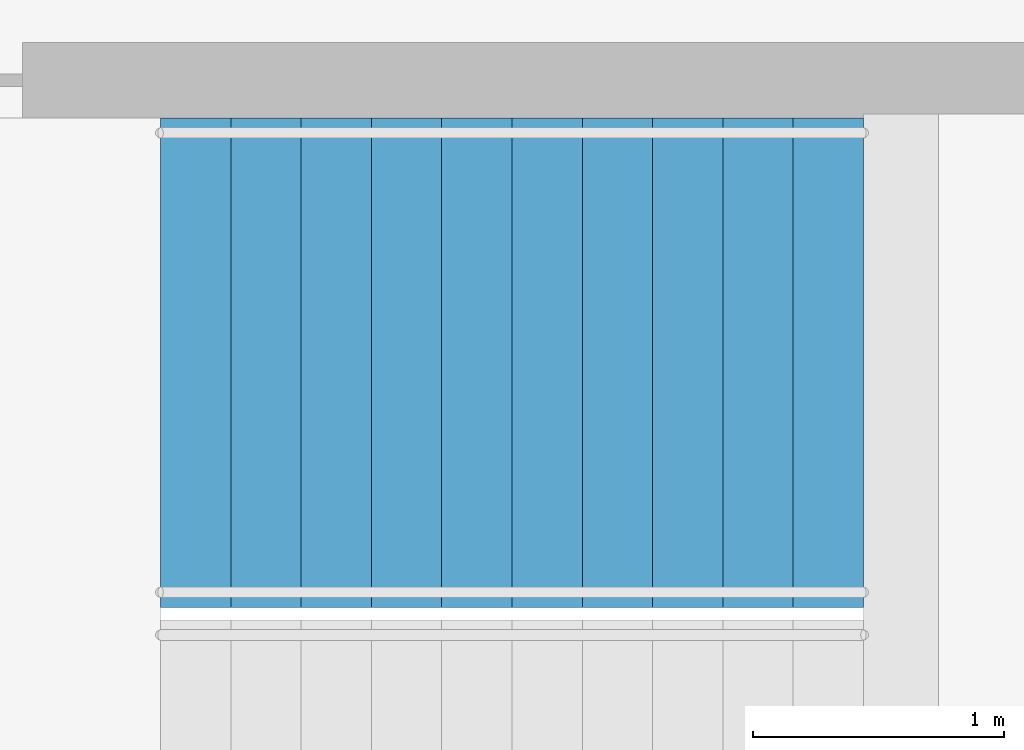
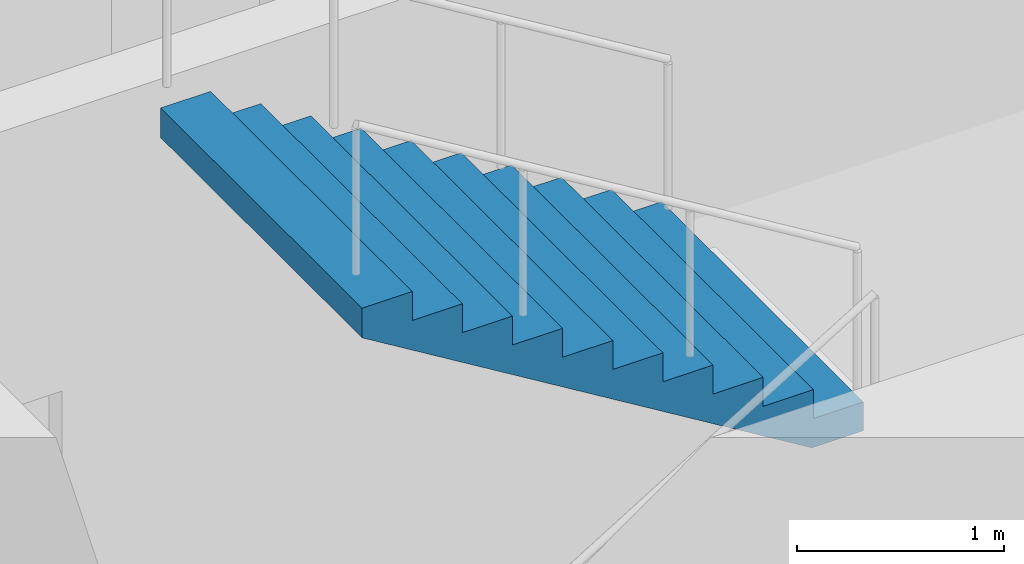
# One storey, part 20 of 23: 1 stair flight, 1 element without a shape of its own.
"""IFC4 building model written with IfcOpenShell, lengths in metres."""

from ifc_helpers import new_model, si_unit, direction, frame, origin, place, context, subcontext, project, spatial, triangles, material, type_object, element, aggregate, save


model = new_model("IFC4")

# Units and contexts
model_context = context("Model", 3, precision=1e-05, world=origin(), true_north=direction((0.0, 1.0)))
body_context = subcontext(model_context, "Body", "Model", "MODEL_VIEW")
ifc_project = project(units=[si_unit("LENGTHUNIT", "METRE"), si_unit("AREAUNIT", "SQUARE_METRE"), si_unit("VOLUMEUNIT", "CUBIC_METRE"), si_unit("PLANEANGLEUNIT", "RADIAN"), si_unit("MASSUNIT", "GRAM", prefix="KILO")], contexts=[model_context])

# Site, building, storey
site_placement = place(None, origin())
site = spatial("IfcSite", under=ifc_project, at=site_placement, CompositionType="ELEMENT")
building_placement = place(site_placement, origin())
building = spatial("IfcBuilding", under=site, at=building_placement, Name="Orbita Commons", CompositionType="ELEMENT")
storey_placement = place(building_placement, frame((0.0, 0.0, 61.449951171875)))
storey = spatial("IfcBuildingStorey", under=building, at=storey_placement, Name="L15", CompositionType="ELEMENT", Elevation=61.449951171875)

# Stair, stair flight
ifc_material_1 = material(Name="Precast concrete C40/50", Category="concrete")
stair_type = type_object("IfcStairType", Name="Exit stair S1 2 flights 11 risers 170", PredefinedType="HALF_TURN_STAIR", material=ifc_material_1)
stair_placement = place(storey_placement, origin())
stair = element("IfcStair", 1, at=stair_placement, inside=storey, type_object=stair_type, Name="Exit stair S1 L15", PredefinedType="HALF_TURN_STAIR")
ifc_material_2 = material(Name="Precast concrete C40/50", Category="concrete")
stair_flight_type = type_object("IfcStairFlightType", Name="Stair flight 11 risers 170 x 280", PredefinedType="STRAIGHT", material=ifc_material_2)
stair_flight_placement = place(storey_placement, frame((23.25, 29.27490234375, 1.875), z_axis=(0.0, 0.0, 1.0), x_axis=(-1.0, 0.0, 0.0)))
stair_flight = element("IfcStairFlight", 2, at=stair_flight_placement, type_object=stair_flight_type, Name="S1 flight 2", NumberOfRisers=11, NumberOfTreads=10, PredefinedType="STRAIGHT", RiserHeight=0.170454545, TreadLength=0.28, context=body_context, shape_type="Tessellation", body=[
    triangles([(0.0, 0.974976, 0.0), (0.0, 0.974976, 0.021307), (0.0, 0.81248, 0.021307), (0.0, 0.81248, 0.0), (0.0, 0.649984, 0.021307), (0.0, 0.649984, 0.0), (0.0, 0.487488, 0.021307), (0.0, 0.487488, 0.0), (0.0, 0.324992, 0.021307), (0.0, 0.324992, 0.0), (0.0, 0.162496, 0.021307), (0.0, 0.162496, 0.0), (0.0, 0.0, 0.021307), (0.0, 0.0, 0.0), (0.0, -0.162496, 0.021307), (0.0, -0.162496, 0.0), (0.0, -0.324992, 0.021307), (0.0, -0.324992, 0.0), (0.0, -0.487488, 0.021307), (0.0, -0.487488, 0.0), (0.0, -0.649984, 0.021307), (0.0, -0.649984, 0.0), (0.0, -0.81248, 0.021307), (0.0, -0.81248, 0.0), (0.0, -0.974976, 0.021307), (0.0, -0.974976, 0.0), (0.0, 0.974976, 0.042614), (0.0, 0.81248, 0.042614), (0.0, 0.649984, 0.042614), (0.0, 0.487488, 0.042614), (0.0, 0.324992, 0.042614), (0.0, 0.162496, 0.042614), (0.0, 0.0, 0.042614), (0.0, -0.162496, 0.042614), (0.0, -0.324992, 0.042614), (0.0, -0.487488, 0.042614), (0.0, -0.649984, 0.042614), (0.0, -0.81248, 0.042614), (0.0, -0.974976, 0.042614), (0.0, 0.974976, 0.06392), (0.0, 0.81248, 0.06392), (0.0, 0.649984, 0.06392), (0.0, 0.487488, 0.06392), (0.0, 0.324992, 0.06392), (0.0, 0.162496, 0.06392), (0.0, 0.0, 0.06392), (0.0, -0.162496, 0.06392), (0.0, -0.324992, 0.06392), (0.0, -0.487488, 0.06392), (0.0, -0.649984, 0.06392), (0.0, -0.81248, 0.06392), (0.0, -0.974976, 0.06392), (0.0, 0.974976, 0.085227), (0.0, 0.81248, 0.085227), (0.0, 0.649984, 0.085227), (0.0, 0.487488, 0.085227), (0.0, 0.324992, 0.085227), (0.0, 0.162496, 0.085227), (0.0, 0.0, 0.085227), (0.0, -0.162496, 0.085227), (0.0, -0.324992, 0.085227), (0.0, -0.487488, 0.085227), (0.0, -0.649984, 0.085227), (0.0, -0.81248, 0.085227), (0.0, -0.974976, 0.085227), (0.0, 0.974976, 0.106534), (0.0, 0.81248, 0.106534), (0.0, 0.649984, 0.106534), (0.0, 0.487488, 0.106534), (0.0, 0.324992, 0.106534), (0.0, 0.162496, 0.106534), (0.0, 0.0, 0.106534), (0.0, -0.162496, 0.106534), (0.0, -0.324992, 0.106534), (0.0, -0.487488, 0.106534), (0.0, -0.649984, 0.106534), (0.0, -0.81248, 0.106534), (0.0, -0.974976, 0.106534), (0.0, 0.974976, 0.127841), (0.0, 0.81248, 0.127841), (0.0, 0.649984, 0.127841), (0.0, 0.487488, 0.127841), (0.0, 0.324992, 0.127841), (0.0, 0.162496, 0.127841), (0.0, 0.0, 0.127841), (0.0, -0.162496, 0.127841), (0.0, -0.324992, 0.127841), (0.0, -0.487488, 0.127841), (0.0, -0.649984, 0.127841), (0.0, -0.81248, 0.127841), (0.0, -0.974976, 0.127841), (0.0, 0.974976, 0.149148), (0.0, 0.81248, 0.149148), (0.0, 0.649984, 0.149148), (0.0, 0.487488, 0.149148), (0.0, 0.324992, 0.149148), (0.0, 0.162496, 0.149148), (0.0, 0.0, 0.149148), (0.0, -0.162496, 0.149148), (0.0, -0.324992, 0.149148), (0.0, -0.487488, 0.149148), (0.0, -0.649984, 0.149148), (0.0, -0.81248, 0.149148), (0.0, -0.974976, 0.149148), (0.0, 0.974976, 0.170455), (0.0, 0.81248, 0.170455), (0.0, 0.649984, 0.170455), (0.0, 0.487488, 0.170455), (0.0, 0.324992, 0.170455), (0.0, 0.162496, 0.170455), (0.0, 0.0, 0.170455), (0.0, -0.162496, 0.170455), (0.0, -0.324992, 0.170455), (0.0, -0.487488, 0.170455), (0.0, -0.649984, 0.170455), (0.0, -0.81248, 0.170455), (0.0, -0.974976, 0.170455), (0.28, 0.974976, 0.170455), (0.28, 0.81248, 0.170455), (0.28, 0.649984, 0.170455), (0.28, 0.487488, 0.170455), (0.28, 0.324992, 0.170455), (0.28, 0.162496, 0.170455), (0.28, 0.0, 0.170455), (0.28, -0.162496, 0.170455), (0.28, -0.324992, 0.170455), (0.28, -0.487488, 0.170455), (0.28, -0.649984, 0.170455), (0.28, -0.81248, 0.170455), (0.28, -0.974976, 0.170455), (0.28, 0.974976, 0.340909), (0.28, 0.81248, 0.340909), (0.28, 0.649984, 0.340909), (0.28, 0.487488, 0.340909), (0.28, 0.324992, 0.340909), (0.28, 0.162496, 0.340909), (0.28, 0.0, 0.340909), (0.28, -0.162496, 0.340909), (0.28, -0.324992, 0.340909), (0.28, -0.487488, 0.340909), (0.28, -0.649984, 0.340909), (0.28, -0.81248, 0.340909), (0.28, -0.974976, 0.340909), (0.56, 0.974976, 0.340909), (0.56, 0.81248, 0.340909), (0.56, 0.649984, 0.340909), (0.56, 0.487488, 0.340909), (0.56, 0.324992, 0.340909), (0.56, 0.162496, 0.340909), (0.56, 0.0, 0.340909), (0.56, -0.162496, 0.340909), (0.56, -0.324992, 0.340909), (0.56, -0.487488, 0.340909), (0.56, -0.649984, 0.340909), (0.56, -0.81248, 0.340909), (0.56, -0.974976, 0.340909), (0.56, 0.974976, 0.511364), (0.56, 0.81248, 0.511364), (0.56, 0.649984, 0.511364), (0.56, 0.487488, 0.511364), (0.56, 0.324992, 0.511364), (0.56, 0.162496, 0.511364), (0.56, 0.0, 0.511364), (0.56, -0.162496, 0.511364), (0.56, -0.324992, 0.511364), (0.56, -0.487488, 0.511364), (0.56, -0.649984, 0.511364), (0.56, -0.81248, 0.511364), (0.56, -0.974976, 0.511364), (0.84, 0.974976, 0.511364), (0.84, 0.81248, 0.511364), (0.84, 0.649984, 0.511364), (0.84, 0.487488, 0.511364), (0.84, 0.324992, 0.511364), (0.84, 0.162496, 0.511364), (0.84, 0.0, 0.511364), (0.84, -0.162496, 0.511364), (0.84, -0.324992, 0.511364), (0.84, -0.487488, 0.511364), (0.84, -0.649984, 0.511364), (0.84, -0.81248, 0.511364), (0.84, -0.974976, 0.511364), (0.84, 0.974976, 0.681818), (0.84, 0.81248, 0.681818), (0.84, 0.649984, 0.681818), (0.84, 0.487488, 0.681818), (0.84, 0.324992, 0.681818), (0.84, 0.162496, 0.681818), (0.84, 0.0, 0.681818), (0.84, -0.162496, 0.681818), (0.84, -0.324992, 0.681818), (0.84, -0.487488, 0.681818), (0.84, -0.649984, 0.681818), (0.84, -0.81248, 0.681818), (0.84, -0.974976, 0.681818), (1.12, 0.974976, 0.681818), (1.12, 0.81248, 0.681818), (1.12, 0.649984, 0.681818), (1.12, 0.487488, 0.681818), (1.12, 0.324992, 0.681818), (1.12, 0.162496, 0.681818), (1.12, 0.0, 0.681818), (1.12, -0.162496, 0.681818), (1.12, -0.324992, 0.681818), (1.12, -0.487488, 0.681818), (1.12, -0.649984, 0.681818), (1.12, -0.81248, 0.681818), (1.12, -0.974976, 0.681818), (1.12, 0.974976, 0.852273), (1.12, 0.81248, 0.852273), (1.12, 0.649984, 0.852273), (1.12, 0.487488, 0.852273), (1.12, 0.324992, 0.852273), (1.12, 0.162496, 0.852273), (1.12, 0.0, 0.852273), (1.12, -0.162496, 0.852273), (1.12, -0.324992, 0.852273), (1.12, -0.487488, 0.852273), (1.12, -0.649984, 0.852273), (1.12, -0.81248, 0.852273), (1.12, -0.974976, 0.852273), (1.4, 0.974976, 0.852273), (1.4, 0.81248, 0.852273), (1.4, 0.649984, 0.852273), (1.4, 0.487488, 0.852273), (1.4, 0.324992, 0.852273), (1.4, 0.162496, 0.852273), (1.4, 0.0, 0.852273), (1.4, -0.162496, 0.852273), (1.4, -0.324992, 0.852273), (1.4, -0.487488, 0.852273), (1.4, -0.649984, 0.852273), (1.4, -0.81248, 0.852273), (1.4, -0.974976, 0.852273), (1.4, 0.974976, 1.022727), (1.4, 0.81248, 1.022727), (1.4, 0.649984, 1.022727), (1.4, 0.487488, 1.022727), (1.4, 0.324992, 1.022727), (1.4, 0.162496, 1.022727), (1.4, 0.0, 1.022727), (1.4, -0.162496, 1.022727), (1.4, -0.324992, 1.022727), (1.4, -0.487488, 1.022727), (1.4, -0.649984, 1.022727), (1.4, -0.81248, 1.022727), (1.4, -0.974976, 1.022727), (1.68, 0.974976, 1.022727), (1.68, 0.81248, 1.022727), (1.68, 0.649984, 1.022727), (1.68, 0.487488, 1.022727), (1.68, 0.324992, 1.022727), (1.68, 0.162496, 1.022727), (1.68, 0.0, 1.022727), (1.68, -0.162496, 1.022727), (1.68, -0.324992, 1.022727), (1.68, -0.487488, 1.022727), (1.68, -0.649984, 1.022727), (1.68, -0.81248, 1.022727), (1.68, -0.974976, 1.022727), (1.68, 0.974976, 1.193182), (1.68, 0.81248, 1.193182), (1.68, 0.649984, 1.193182), (1.68, 0.487488, 1.193182), (1.68, 0.324992, 1.193182), (1.68, 0.162496, 1.193182), (1.68, 0.0, 1.193182), (1.68, -0.162496, 1.193182), (1.68, -0.324992, 1.193182), (1.68, -0.487488, 1.193182), (1.68, -0.649984, 1.193182), (1.68, -0.81248, 1.193182), (1.68, -0.974976, 1.193182), (1.96, 0.974976, 1.193182), (1.96, 0.81248, 1.193182), (1.96, 0.649984, 1.193182), (1.96, 0.487488, 1.193182), (1.96, 0.324992, 1.193182), (1.96, 0.162496, 1.193182), (1.96, 0.0, 1.193182), (1.96, -0.162496, 1.193182), (1.96, -0.324992, 1.193182), (1.96, -0.487488, 1.193182), (1.96, -0.649984, 1.193182), (1.96, -0.81248, 1.193182), (1.96, -0.974976, 1.193182), (1.96, 0.974976, 1.363636), (1.96, 0.81248, 1.363636), (1.96, 0.649984, 1.363636), (1.96, 0.487488, 1.363636), (1.96, 0.324992, 1.363636), (1.96, 0.162496, 1.363636), (1.96, 0.0, 1.363636), (1.96, -0.162496, 1.363636), (1.96, -0.324992, 1.363636), (1.96, -0.487488, 1.363636), (1.96, -0.649984, 1.363636), (1.96, -0.81248, 1.363636), (1.96, -0.974976, 1.363636), (2.24, 0.974976, 1.363636), (2.24, 0.81248, 1.363636), (2.24, 0.649984, 1.363636), (2.24, 0.487488, 1.363636), (2.24, 0.324992, 1.363636), (2.24, 0.162496, 1.363636), (2.24, 0.0, 1.363636), (2.24, -0.162496, 1.363636), (2.24, -0.324992, 1.363636), (2.24, -0.487488, 1.363636), (2.24, -0.649984, 1.363636), (2.24, -0.81248, 1.363636), (2.24, -0.974976, 1.363636), (2.24, 0.974976, 1.534091), (2.24, 0.81248, 1.534091), (2.24, 0.649984, 1.534091), (2.24, 0.487488, 1.534091), (2.24, 0.324992, 1.534091), (2.24, 0.162496, 1.534091), (2.24, 0.0, 1.534091), (2.24, -0.162496, 1.534091), (2.24, -0.324992, 1.534091), (2.24, -0.487488, 1.534091), (2.24, -0.649984, 1.534091), (2.24, -0.81248, 1.534091), (2.24, -0.974976, 1.534091), (2.52, 0.974976, 1.534091), (2.52, 0.81248, 1.534091), (2.52, 0.649984, 1.534091), (2.52, 0.487488, 1.534091), (2.52, 0.324992, 1.534091), (2.52, 0.162496, 1.534091), (2.52, 0.0, 1.534091), (2.52, -0.162496, 1.534091), (2.52, -0.324992, 1.534091), (2.52, -0.487488, 1.534091), (2.52, -0.649984, 1.534091), (2.52, -0.81248, 1.534091), (2.52, -0.974976, 1.534091), (2.52, 0.974976, 1.704545), (2.52, 0.81248, 1.704545), (2.52, 0.649984, 1.704545), (2.52, 0.487488, 1.704545), (2.52, 0.324992, 1.704545), (2.52, 0.162496, 1.704545), (2.52, 0.0, 1.704545), (2.52, -0.162496, 1.704545), (2.52, -0.324992, 1.704545), (2.52, -0.487488, 1.704545), (2.52, -0.649984, 1.704545), (2.52, -0.81248, 1.704545), (2.52, -0.974976, 1.704545), (2.8, 0.974976, 1.704545), (2.8, 0.81248, 1.704545), (2.8, 0.649984, 1.704545), (2.8, 0.487488, 1.704545), (2.8, 0.324992, 1.704545), (2.8, 0.162496, 1.704545), (2.8, 0.0, 1.704545), (2.8, -0.162496, 1.704545), (2.8, -0.324992, 1.704545), (2.8, -0.487488, 1.704545), (2.8, -0.649984, 1.704545), (2.8, -0.81248, 1.704545), (2.8, -0.974976, 1.704545), (2.8, 0.974976, 1.682609), (2.8, 0.81248, 1.682609), (2.8, 0.649984, 1.682609), (2.8, 0.487488, 1.682609), (2.8, 0.324992, 1.682609), (2.8, 0.162496, 1.682609), (2.8, 0.0, 1.682609), (2.8, -0.162496, 1.682609), (2.8, -0.324992, 1.682609), (2.8, -0.487488, 1.682609), (2.8, -0.649984, 1.682609), (2.8, -0.81248, 1.682609), (2.8, -0.974976, 1.682609), (2.8, 0.974976, 1.660672), (2.8, 0.81248, 1.660672), (2.8, 0.649984, 1.660672), (2.8, 0.487488, 1.660672), (2.8, 0.324992, 1.660672), (2.8, 0.162496, 1.660672), (2.8, 0.0, 1.660672), (2.8, -0.162496, 1.660672), (2.8, -0.324992, 1.660672), (2.8, -0.487488, 1.660672), (2.8, -0.649984, 1.660672), (2.8, -0.81248, 1.660672), (2.8, -0.974976, 1.660672), (2.8, 0.974976, 1.638735), (2.8, 0.81248, 1.638735), (2.8, 0.649984, 1.638735), (2.8, 0.487488, 1.638735), (2.8, 0.324992, 1.638735), (2.8, 0.162496, 1.638735), (2.8, 0.0, 1.638735), (2.8, -0.162496, 1.638735), (2.8, -0.324992, 1.638735), (2.8, -0.487488, 1.638735), (2.8, -0.649984, 1.638735), (2.8, -0.81248, 1.638735), (2.8, -0.974976, 1.638735), (2.8, 0.974976, 1.616798), (2.8, 0.81248, 1.616798), (2.8, 0.649984, 1.616798), (2.8, 0.487488, 1.616798), (2.8, 0.324992, 1.616798), (2.8, 0.162496, 1.616798), (2.8, 0.0, 1.616798), (2.8, -0.162496, 1.616798), (2.8, -0.324992, 1.616798), (2.8, -0.487488, 1.616798), (2.8, -0.649984, 1.616798), (2.8, -0.81248, 1.616798), (2.8, -0.974976, 1.616798), (2.8, 0.974976, 1.594861), (2.8, 0.81248, 1.594861), (2.8, 0.649984, 1.594861), (2.8, 0.487488, 1.594861), (2.8, 0.324992, 1.594861), (2.8, 0.162496, 1.594861), (2.8, 0.0, 1.594861), (2.8, -0.162496, 1.594861), (2.8, -0.324992, 1.594861), (2.8, -0.487488, 1.594861), (2.8, -0.649984, 1.594861), (2.8, -0.81248, 1.594861), (2.8, -0.974976, 1.594861), (2.8, 0.974976, 1.572925), (2.8, 0.81248, 1.572925), (2.8, 0.649984, 1.572925), (2.8, 0.487488, 1.572925), (2.8, 0.324992, 1.572925), (2.8, 0.162496, 1.572925), (2.8, 0.0, 1.572925), (2.8, -0.162496, 1.572925), (2.8, -0.324992, 1.572925), (2.8, -0.487488, 1.572925), (2.8, -0.649984, 1.572925), (2.8, -0.81248, 1.572925), (2.8, -0.974976, 1.572925), (2.8, 0.974976, 1.550988), (2.8, 0.81248, 1.550988), (2.8, 0.649984, 1.550988), (2.8, 0.487488, 1.550988), (2.8, 0.324992, 1.550988), (2.8, 0.162496, 1.550988), (2.8, 0.0, 1.550988), (2.8, -0.162496, 1.550988), (2.8, -0.324992, 1.550988), (2.8, -0.487488, 1.550988), (2.8, -0.649984, 1.550988), (2.8, -0.81248, 1.550988), (2.8, -0.974976, 1.550988), (2.8, 0.974976, 1.529051), (2.8, 0.81248, 1.529051), (2.8, 0.649984, 1.529051), (2.8, 0.487488, 1.529051), (2.8, 0.324992, 1.529051), (2.8, 0.162496, 1.529051), (2.8, 0.0, 1.529051), (2.8, -0.162496, 1.529051), (2.8, -0.324992, 1.529051), (2.8, -0.487488, 1.529051), (2.8, -0.649984, 1.529051), (2.8, -0.81248, 1.529051), (2.8, -0.974976, 1.529051), (0.288279, 0.974976, 0.0), (0.288279, 0.81248, 0.0), (0.288279, 0.649984, 0.0), (0.288279, 0.487488, 0.0), (0.288279, 0.324992, 0.0), (0.288279, 0.162496, 0.0), (0.288279, 0.0, 0.0), (0.288279, -0.162496, 0.0), (0.288279, -0.324992, 0.0), (0.288279, -0.487488, 0.0), (0.288279, -0.649984, 0.0), (0.288279, -0.81248, 0.0), (0.288279, -0.974976, 0.0)], [[3, 2, 1], [4, 3, 1], [5, 3, 4], [6, 5, 4], [7, 5, 6], [8, 7, 6], [9, 7, 8], [10, 9, 8], [11, 9, 10], [12, 11, 10], [13, 11, 12], [14, 13, 12], [15, 13, 14], [16, 15, 14], [17, 15, 16], [18, 17, 16], [19, 17, 18], [20, 19, 18], [21, 19, 20], [22, 21, 20], [23, 21, 22], [24, 23, 22], [25, 23, 24], [26, 25, 24], [28, 27, 2], [3, 28, 2], [29, 28, 3], [5, 29, 3], [30, 29, 5], [7, 30, 5], [31, 30, 7], [9, 31, 7], [32, 31, 9], [11, 32, 9], [33, 32, 11], [13, 33, 11], [34, 33, 13], [15, 34, 13], [35, 34, 15], [17, 35, 15], [36, 35, 17], [19, 36, 17], [37, 36, 19], [21, 37, 19], [38, 37, 21], [23, 38, 21], [39, 38, 23], [25, 39, 23], [41, 40, 27], [28, 41, 27], [42, 41, 28], [29, 42, 28], [43, 42, 29], [30, 43, 29], [44, 43, 30], [31, 44, 30], [45, 44, 31], [32, 45, 31], [46, 45, 32], [33, 46, 32], [47, 46, 33], [34, 47, 33], [48, 47, 34], [35, 48, 34], [49, 48, 35], [36, 49, 35], [50, 49, 36], [37, 50, 36], [51, 50, 37], [38, 51, 37], [52, 51, 38], [39, 52, 38], [54, 53, 40], [41, 54, 40], [55, 54, 41], [42, 55, 41], [56, 55, 42], [43, 56, 42], [57, 56, 43], [44, 57, 43], [58, 57, 44], [45, 58, 44], [59, 58, 45], [46, 59, 45], [60, 59, 46], [47, 60, 46], [61, 60, 47], [48, 61, 47], [62, 61, 48], [49, 62, 48], [63, 62, 49], [50, 63, 49], [64, 63, 50], [51, 64, 50], [65, 64, 51], [52, 65, 51], [67, 66, 53], [54, 67, 53], [68, 67, 54], [55, 68, 54], [69, 68, 55], [56, 69, 55], [70, 69, 56], [57, 70, 56], [71, 70, 57], [58, 71, 57], [72, 71, 58], [59, 72, 58], [73, 72, 59], [60, 73, 59], [74, 73, 60], [61, 74, 60], [75, 74, 61], [62, 75, 61], [76, 75, 62], [63, 76, 62], [77, 76, 63], [64, 77, 63], [78, 77, 64], [65, 78, 64], [80, 79, 66], [67, 80, 66], [81, 80, 67], [68, 81, 67], [82, 81, 68], [69, 82, 68], [83, 82, 69], [70, 83, 69], [84, 83, 70], [71, 84, 70], [85, 84, 71], [72, 85, 71], [86, 85, 72], [73, 86, 72], [87, 86, 73], [74, 87, 73], [88, 87, 74], [75, 88, 74], [89, 88, 75], [76, 89, 75], [90, 89, 76], [77, 90, 76], [91, 90, 77], [78, 91, 77], [93, 92, 79], [80, 93, 79], [94, 93, 80], [81, 94, 80], [95, 94, 81], [82, 95, 81], [96, 95, 82], [83, 96, 82], [97, 96, 83], [84, 97, 83], [98, 97, 84], [85, 98, 84], [99, 98, 85], [86, 99, 85], [100, 99, 86], [87, 100, 86], [101, 100, 87], [88, 101, 87], [102, 101, 88], [89, 102, 88], [103, 102, 89], [90, 103, 89], [104, 103, 90], [91, 104, 90], [106, 105, 92], [93, 106, 92], [107, 106, 93], [94, 107, 93], [108, 107, 94], [95, 108, 94], [109, 108, 95], [96, 109, 95], [110, 109, 96], [97, 110, 96], [111, 110, 97], [98, 111, 97], [112, 111, 98], [99, 112, 98], [113, 112, 99], [100, 113, 99], [114, 113, 100], [101, 114, 100], [115, 114, 101], [102, 115, 101], [116, 115, 102], [103, 116, 102], [117, 116, 103], [104, 117, 103], [119, 118, 105], [106, 119, 105], [120, 119, 106], [107, 120, 106], [121, 120, 107], [108, 121, 107], [122, 121, 108], [109, 122, 108], [123, 122, 109], [110, 123, 109], [124, 123, 110], [111, 124, 110], [125, 124, 111], [112, 125, 111], [126, 125, 112], [113, 126, 112], [127, 126, 113], [114, 127, 113], [128, 127, 114], [115, 128, 114], [129, 128, 115], [116, 129, 115], [130, 129, 116], [117, 130, 116], [132, 131, 118], [119, 132, 118], [133, 132, 119], [120, 133, 119], [134, 133, 120], [121, 134, 120], [135, 134, 121], [122, 135, 121], [136, 135, 122], [123, 136, 122], [137, 136, 123], [124, 137, 123], [138, 137, 124], [125, 138, 124], [139, 138, 125], [126, 139, 125], [140, 139, 126], [127, 140, 126], [141, 140, 127], [128, 141, 127], [142, 141, 128], [129, 142, 128], [143, 142, 129], [130, 143, 129], [145, 144, 131], [132, 145, 131], [146, 145, 132], [133, 146, 132], [147, 146, 133], [134, 147, 133], [148, 147, 134], [135, 148, 134], [149, 148, 135], [136, 149, 135], [150, 149, 136], [137, 150, 136], [151, 150, 137], [138, 151, 137], [152, 151, 138], [139, 152, 138], [153, 152, 139], [140, 153, 139], [154, 153, 140], [141, 154, 140], [155, 154, 141], [142, 155, 141], [156, 155, 142], [143, 156, 142], [158, 157, 144], [145, 158, 144], [159, 158, 145], [146, 159, 145], [160, 159, 146], [147, 160, 146], [161, 160, 147], [148, 161, 147], [162, 161, 148], [149, 162, 148], [163, 162, 149], [150, 163, 149], [164, 163, 150], [151, 164, 150], [165, 164, 151], [152, 165, 151], [166, 165, 152], [153, 166, 152], [167, 166, 153], [154, 167, 153], [168, 167, 154], [155, 168, 154], [169, 168, 155], [156, 169, 155], [171, 170, 157], [158, 171, 157], [172, 171, 158], [159, 172, 158], [173, 172, 159], [160, 173, 159], [174, 173, 160], [161, 174, 160], [175, 174, 161], [162, 175, 161], [176, 175, 162], [163, 176, 162], [177, 176, 163], [164, 177, 163], [178, 177, 164], [165, 178, 164], [179, 178, 165], [166, 179, 165], [180, 179, 166], [167, 180, 166], [181, 180, 167], [168, 181, 167], [182, 181, 168], [169, 182, 168], [184, 183, 170], [171, 184, 170], [185, 184, 171], [172, 185, 171], [186, 185, 172], [173, 186, 172], [187, 186, 173], [174, 187, 173], [188, 187, 174], [175, 188, 174], [189, 188, 175], [176, 189, 175], [190, 189, 176], [177, 190, 176], [191, 190, 177], [178, 191, 177], [192, 191, 178], [179, 192, 178], [193, 192, 179], [180, 193, 179], [194, 193, 180], [181, 194, 180], [195, 194, 181], [182, 195, 181], [197, 196, 183], [184, 197, 183], [198, 197, 184], [185, 198, 184], [199, 198, 185], [186, 199, 185], [200, 199, 186], [187, 200, 186], [201, 200, 187], [188, 201, 187], [202, 201, 188], [189, 202, 188], [203, 202, 189], [190, 203, 189], [204, 203, 190], [191, 204, 190], [205, 204, 191], [192, 205, 191], [206, 205, 192], [193, 206, 192], [207, 206, 193], [194, 207, 193], [208, 207, 194], [195, 208, 194], [210, 209, 196], [197, 210, 196], [211, 210, 197], [198, 211, 197], [212, 211, 198], [199, 212, 198], [213, 212, 199], [200, 213, 199], [214, 213, 200], [201, 214, 200], [215, 214, 201], [202, 215, 201], [216, 215, 202], [203, 216, 202], [217, 216, 203], [204, 217, 203], [218, 217, 204], [205, 218, 204], [219, 218, 205], [206, 219, 205], [220, 219, 206], [207, 220, 206], [221, 220, 207], [208, 221, 207], [223, 222, 209], [210, 223, 209], [224, 223, 210], [211, 224, 210], [225, 224, 211], [212, 225, 211], [226, 225, 212], [213, 226, 212], [227, 226, 213], [214, 227, 213], [228, 227, 214], [215, 228, 214], [229, 228, 215], [216, 229, 215], [230, 229, 216], [217, 230, 216], [231, 230, 217], [218, 231, 217], [232, 231, 218], [219, 232, 218], [233, 232, 219], [220, 233, 219], [234, 233, 220], [221, 234, 220], [236, 235, 222], [223, 236, 222], [237, 236, 223], [224, 237, 223], [238, 237, 224], [225, 238, 224], [239, 238, 225], [226, 239, 225], [240, 239, 226], [227, 240, 226], [241, 240, 227], [228, 241, 227], [242, 241, 228], [229, 242, 228], [243, 242, 229], [230, 243, 229], [244, 243, 230], [231, 244, 230], [245, 244, 231], [232, 245, 231], [246, 245, 232], [233, 246, 232], [247, 246, 233], [234, 247, 233], [249, 248, 235], [236, 249, 235], [250, 249, 236], [237, 250, 236], [251, 250, 237], [238, 251, 237], [252, 251, 238], [239, 252, 238], [253, 252, 239], [240, 253, 239], [254, 253, 240], [241, 254, 240], [255, 254, 241], [242, 255, 241], [256, 255, 242], [243, 256, 242], [257, 256, 243], [244, 257, 243], [258, 257, 244], [245, 258, 244], [259, 258, 245], [246, 259, 245], [260, 259, 246], [247, 260, 246], [262, 261, 248], [249, 262, 248], [263, 262, 249], [250, 263, 249], [264, 263, 250], [251, 264, 250], [265, 264, 251], [252, 265, 251], [266, 265, 252], [253, 266, 252], [267, 266, 253], [254, 267, 253], [268, 267, 254], [255, 268, 254], [269, 268, 255], [256, 269, 255], [270, 269, 256], [257, 270, 256], [271, 270, 257], [258, 271, 257], [272, 271, 258], [259, 272, 258], [273, 272, 259], [260, 273, 259], [275, 274, 261], [262, 275, 261], [276, 275, 262], [263, 276, 262], [277, 276, 263], [264, 277, 263], [278, 277, 264], [265, 278, 264], [279, 278, 265], [266, 279, 265], [280, 279, 266], [267, 280, 266], [281, 280, 267], [268, 281, 267], [282, 281, 268], [269, 282, 268], [283, 282, 269], [270, 283, 269], [284, 283, 270], [271, 284, 270], [285, 284, 271], [272, 285, 271], [286, 285, 272], [273, 286, 272], [288, 287, 274], [275, 288, 274], [289, 288, 275], [276, 289, 275], [290, 289, 276], [277, 290, 276], [291, 290, 277], [278, 291, 277], [292, 291, 278], [279, 292, 278], [293, 292, 279], [280, 293, 279], [294, 293, 280], [281, 294, 280], [295, 294, 281], [282, 295, 281], [296, 295, 282], [283, 296, 282], [297, 296, 283], [284, 297, 283], [298, 297, 284], [285, 298, 284], [299, 298, 285], [286, 299, 285], [301, 300, 287], [288, 301, 287], [302, 301, 288], [289, 302, 288], [303, 302, 289], [290, 303, 289], [304, 303, 290], [291, 304, 290], [305, 304, 291], [292, 305, 291], [306, 305, 292], [293, 306, 292], [307, 306, 293], [294, 307, 293], [308, 307, 294], [295, 308, 294], [309, 308, 295], [296, 309, 295], [310, 309, 296], [297, 310, 296], [311, 310, 297], [298, 311, 297], [312, 311, 298], [299, 312, 298], [314, 313, 300], [301, 314, 300], [315, 314, 301], [302, 315, 301], [316, 315, 302], [303, 316, 302], [317, 316, 303], [304, 317, 303], [318, 317, 304], [305, 318, 304], [319, 318, 305], [306, 319, 305], [320, 319, 306], [307, 320, 306], [321, 320, 307], [308, 321, 307], [322, 321, 308], [309, 322, 308], [323, 322, 309], [310, 323, 309], [324, 323, 310], [311, 324, 310], [325, 324, 311], [312, 325, 311], [327, 326, 313], [314, 327, 313], [328, 327, 314], [315, 328, 314], [329, 328, 315], [316, 329, 315], [330, 329, 316], [317, 330, 316], [331, 330, 317], [318, 331, 317], [332, 331, 318], [319, 332, 318], [333, 332, 319], [320, 333, 319], [334, 333, 320], [321, 334, 320], [335, 334, 321], [322, 335, 321], [336, 335, 322], [323, 336, 322], [337, 336, 323], [324, 337, 323], [338, 337, 324], [325, 338, 324], [340, 339, 326], [327, 340, 326], [341, 340, 327], [328, 341, 327], [342, 341, 328], [329, 342, 328], [343, 342, 329], [330, 343, 329], [344, 343, 330], [331, 344, 330], [345, 344, 331], [332, 345, 331], [346, 345, 332], [333, 346, 332], [347, 346, 333], [334, 347, 333], [348, 347, 334], [335, 348, 334], [349, 348, 335], [336, 349, 335], [350, 349, 336], [337, 350, 336], [351, 350, 337], [338, 351, 337], [353, 352, 339], [340, 353, 339], [354, 353, 340], [341, 354, 340], [355, 354, 341], [342, 355, 341], [356, 355, 342], [343, 356, 342], [357, 356, 343], [344, 357, 343], [358, 357, 344], [345, 358, 344], [359, 358, 345], [346, 359, 345], [360, 359, 346], [347, 360, 346], [361, 360, 347], [348, 361, 347], [362, 361, 348], [349, 362, 348], [363, 362, 349], [350, 363, 349], [364, 363, 350], [351, 364, 350], [366, 365, 352], [353, 366, 352], [367, 366, 353], [354, 367, 353], [368, 367, 354], [355, 368, 354], [369, 368, 355], [356, 369, 355], [370, 369, 356], [357, 370, 356], [371, 370, 357], [358, 371, 357], [372, 371, 358], [359, 372, 358], [373, 372, 359], [360, 373, 359], [374, 373, 360], [361, 374, 360], [375, 374, 361], [362, 375, 361], [376, 375, 362], [363, 376, 362], [377, 376, 363], [364, 377, 363], [379, 378, 365], [366, 379, 365], [380, 379, 366], [367, 380, 366], [381, 380, 367], [368, 381, 367], [382, 381, 368], [369, 382, 368], [383, 382, 369], [370, 383, 369], [384, 383, 370], [371, 384, 370], [385, 384, 371], [372, 385, 371], [386, 385, 372], [373, 386, 372], [387, 386, 373], [374, 387, 373], [388, 387, 374], [375, 388, 374], [389, 388, 375], [376, 389, 375], [390, 389, 376], [377, 390, 376], [392, 391, 378], [379, 392, 378], [393, 392, 379], [380, 393, 379], [394, 393, 380], [381, 394, 380], [395, 394, 381], [382, 395, 381], [396, 395, 382], [383, 396, 382], [397, 396, 383], [384, 397, 383], [398, 397, 384], [385, 398, 384], [399, 398, 385], [386, 399, 385], [400, 399, 386], [387, 400, 386], [401, 400, 387], [388, 401, 387], [402, 401, 388], [389, 402, 388], [403, 402, 389], [390, 403, 389], [405, 404, 391], [392, 405, 391], [406, 405, 392], [393, 406, 392], [407, 406, 393], [394, 407, 393], [408, 407, 394], [395, 408, 394], [409, 408, 395], [396, 409, 395], [410, 409, 396], [397, 410, 396], [411, 410, 397], [398, 411, 397], [412, 411, 398], [399, 412, 398], [413, 412, 399], [400, 413, 399], [414, 413, 400], [401, 414, 400], [415, 414, 401], [402, 415, 401], [416, 415, 402], [403, 416, 402], [418, 417, 404], [405, 418, 404], [419, 418, 405], [406, 419, 405], [420, 419, 406], [407, 420, 406], [421, 420, 407], [408, 421, 407], [422, 421, 408], [409, 422, 408], [423, 422, 409], [410, 423, 409], [424, 423, 410], [411, 424, 410], [425, 424, 411], [412, 425, 411], [426, 425, 412], [413, 426, 412], [427, 426, 413], [414, 427, 413], [428, 427, 414], [415, 428, 414], [429, 428, 415], [416, 429, 415], [431, 430, 417], [418, 431, 417], [432, 431, 418], [419, 432, 418], [433, 432, 419], [420, 433, 419], [434, 433, 420], [421, 434, 420], [435, 434, 421], [422, 435, 421], [436, 435, 422], [423, 436, 422], [437, 436, 423], [424, 437, 423], [438, 437, 424], [425, 438, 424], [439, 438, 425], [426, 439, 425], [440, 439, 426], [427, 440, 426], [441, 440, 427], [428, 441, 427], [442, 441, 428], [429, 442, 428], [444, 443, 430], [431, 444, 430], [445, 444, 431], [432, 445, 431], [446, 445, 432], [433, 446, 432], [447, 446, 433], [434, 447, 433], [448, 447, 434], [435, 448, 434], [449, 448, 435], [436, 449, 435], [450, 449, 436], [437, 450, 436], [451, 450, 437], [438, 451, 437], [452, 451, 438], [439, 452, 438], [453, 452, 439], [440, 453, 439], [454, 453, 440], [441, 454, 440], [455, 454, 441], [442, 455, 441], [457, 456, 443], [444, 457, 443], [458, 457, 444], [445, 458, 444], [459, 458, 445], [446, 459, 445], [460, 459, 446], [447, 460, 446], [461, 460, 447], [448, 461, 447], [462, 461, 448], [449, 462, 448], [463, 462, 449], [450, 463, 449], [464, 463, 450], [451, 464, 450], [465, 464, 451], [452, 465, 451], [466, 465, 452], [453, 466, 452], [467, 466, 453], [454, 467, 453], [468, 467, 454], [455, 468, 454], [470, 469, 456], [457, 470, 456], [471, 470, 457], [458, 471, 457], [472, 471, 458], [459, 472, 458], [473, 472, 459], [460, 473, 459], [474, 473, 460], [461, 474, 460], [475, 474, 461], [462, 475, 461], [476, 475, 462], [463, 476, 462], [477, 476, 463], [464, 477, 463], [478, 477, 464], [465, 478, 464], [479, 478, 465], [466, 479, 465], [480, 479, 466], [467, 480, 466], [481, 480, 467], [468, 481, 467], [4, 1, 469], [470, 4, 469], [6, 4, 470], [471, 6, 470], [8, 6, 471], [472, 8, 471], [10, 8, 472], [473, 10, 472], [12, 10, 473], [474, 12, 473], [14, 12, 474], [475, 14, 474], [16, 14, 475], [476, 16, 475], [18, 16, 476], [477, 18, 476], [20, 18, 477], [478, 20, 477], [22, 20, 478], [479, 22, 478], [24, 22, 479], [480, 24, 479], [26, 24, 480], [481, 26, 480], [456, 469, 1], [26, 481, 468], [443, 456, 1], [26, 468, 455], [430, 443, 1], [26, 455, 442], [417, 430, 1], [26, 442, 429], [404, 417, 1], [26, 429, 416], [391, 404, 1], [26, 416, 403], [378, 391, 1], [26, 403, 390], [365, 378, 1], [26, 390, 377], [339, 352, 365], [377, 364, 351], [326, 339, 365], [377, 351, 338], [300, 313, 326], [338, 325, 312], [300, 326, 365], [377, 338, 312], [274, 287, 300], [312, 299, 286], [274, 300, 365], [377, 312, 286], [248, 261, 274], [286, 273, 260], [248, 274, 365], [377, 286, 260], [222, 235, 248], [260, 247, 234], [222, 248, 365], [377, 260, 234], [196, 209, 222], [234, 221, 208], [196, 222, 365], [377, 234, 208], [170, 183, 196], [208, 195, 182], [170, 196, 365], [377, 208, 182], [144, 157, 170], [182, 169, 156], [144, 170, 365], [377, 182, 156], [118, 131, 144], [156, 143, 130], [118, 144, 365], [377, 156, 130], [118, 365, 1], [26, 377, 130], [92, 105, 118], [130, 117, 104], [79, 92, 118], [130, 104, 91], [66, 79, 118], [130, 91, 78], [53, 66, 118], [130, 78, 65], [40, 53, 118], [130, 65, 52], [27, 40, 118], [130, 52, 39], [2, 27, 118], [130, 39, 25], [1, 2, 118], [130, 25, 26]], closed=True),
])
aggregate(stair, [stair_flight])

save(model, "model.ifc")
